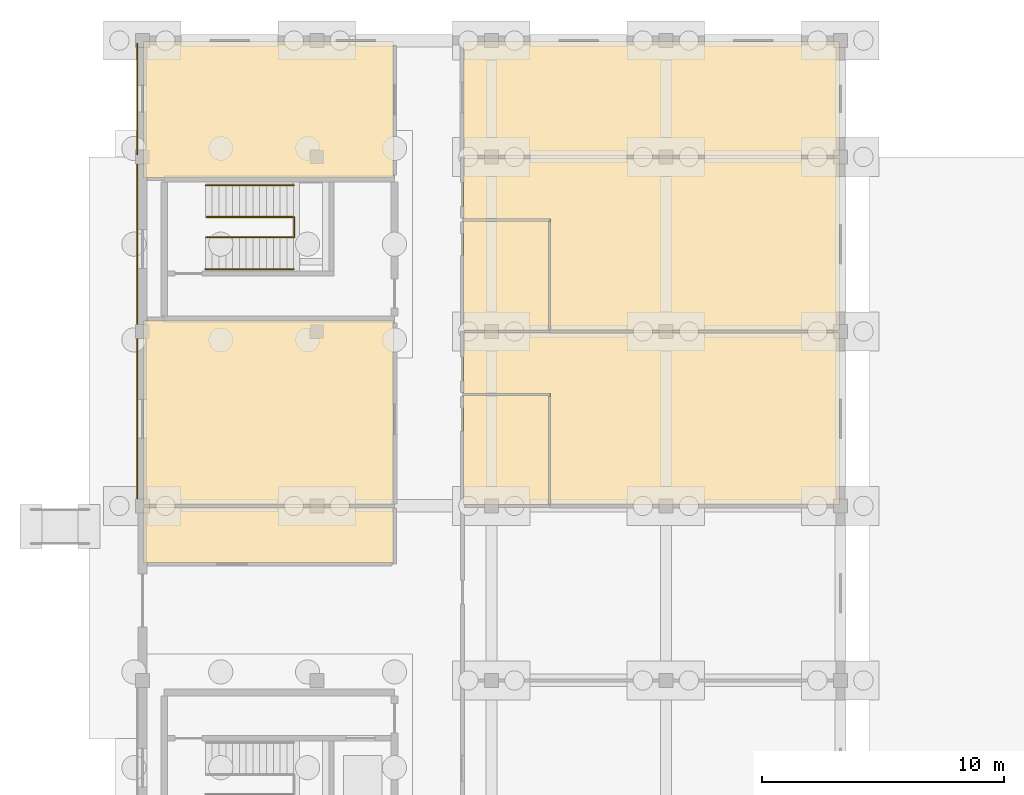
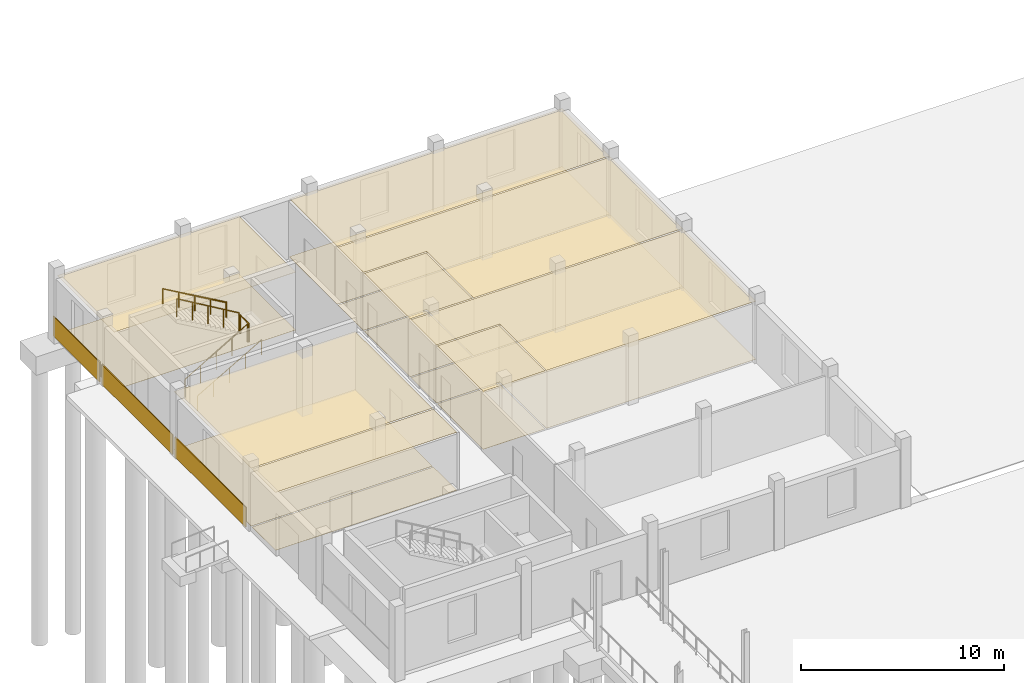
# One storey, part 94 of 98: 19 coverings, 5 railings.
"""IFC4 building model written with IfcOpenShell, lengths in metres."""

from ifc_helpers import new_model, si_unit, direction, frame, origin, origin_2d, place, context, subcontext, project, spatial, polyline, rectangle, circle, outline, extrude, material, layer, layer_set, type_object, element, save


model = new_model("IFC4")

# Units and contexts
model_context = context("Model", 3, precision=1e-05, world=origin(), true_north=direction((0.0, 1.0)))
body_context = subcontext(model_context, "Body", "Model", "MODEL_VIEW")
ifc_project = project(units=[si_unit("LENGTHUNIT", "METRE"), si_unit("AREAUNIT", "SQUARE_METRE"), si_unit("VOLUMEUNIT", "CUBIC_METRE"), si_unit("PLANEANGLEUNIT", "RADIAN"), si_unit("MASSUNIT", "GRAM", prefix="KILO")], contexts=[model_context])

# Site, building, storey
site_placement = place(None, origin())
site = spatial("IfcSite", under=ifc_project, at=site_placement, CompositionType="ELEMENT")
building_placement = place(site_placement, origin())
building = spatial("IfcBuilding", under=site, at=building_placement, Name="Zornivar Specialist Clinic", CompositionType="ELEMENT")
storey_placement = place(building_placement, origin())
storey = spatial("IfcBuildingStorey", under=building, at=storey_placement, Name="L00", CompositionType="ELEMENT", Elevation=0.0)

# Coverings
ifc_material_1 = material(Name="Washable Acoustic Mineral Clinical Ceiling")
ifc_layer_1 = layer(ifc_material_1, 0.01806640625)
ifc_layer_set_1 = layer_set([ifc_layer_1], Name="Washable Acoustic Mineral Clinical Ceiling")
covering_type_1 = type_object("IfcCoveringType", Name="COV-CEIL-CLIN-18", PredefinedType="CEILING", material=ifc_layer_set_1)
covering_1_placement = place(storey_placement, frame((0.0, 0.0, 3.48193359375)))
element("IfcCovering", 1, at=covering_1_placement, inside=storey, type_object=covering_type_1, Name="ceil:space:V5:L00:rm:00", PredefinedType="CEILING", context=body_context, shape_type="SweptSolid", body=[
    extrude(outline(polyline([(0.0400390625, 91.239990234375), (0.0400390625, 93.56005859375), (10.360107421875, 93.56005859375), (10.360107421875, 91.239990234375), (0.0400390625, 91.239990234375)])), origin(), (0.0, 0.0, 1.0), 0.01806640625),
])
covering_2_placement = place(storey_placement, frame((0.0, 0.0, 3.48193359375)))
element("IfcCovering", 2, at=covering_2_placement, inside=storey, type_object=covering_type_1, Name="ceil:space:V5:L00:rm:01", PredefinedType="CEILING", context=body_context, shape_type="SweptSolid", body=[
    extrude(outline(polyline([(0.0400390625, 93.639892578125), (0.0400390625, 101.260009765625), (10.360107421875, 101.260009765625), (10.360107421875, 93.639892578125), (0.0400390625, 93.639892578125)])), origin(), (0.0, 0.0, 1.0), 0.01806640625),
])
covering_3_placement = place(storey_placement, frame((0.0, 0.0, 3.48193359375)))
element("IfcCovering", 3, at=covering_3_placement, inside=storey, type_object=covering_type_1, Name="ceil:space:V5:L00:rm:02", PredefinedType="CEILING", context=body_context, shape_type="SweptSolid", body=[
    extrude(outline(polyline([(10.360107421875, 112.760009765625), (10.360107421875, 107.139892578125), (0.0400390625, 107.139892578125), (0.0400390625, 112.760009765625), (10.360107421875, 112.760009765625)])), origin(), (0.0, 0.0, 1.0), 0.01806640625),
])
covering_4_placement = place(storey_placement, frame((0.0, 0.0, 3.48193359375)))
element("IfcCovering", 4, at=covering_4_placement, inside=storey, type_object=covering_type_1, Name="ceil:space:V5:L00:rm:05", PredefinedType="CEILING", context=body_context, shape_type="SweptSolid", body=[
    extrude(outline(polyline([(13.239990234375, 98.159912109375), (16.760009765625, 98.159912109375), (16.760009765625, 93.639892578125), (13.239990234375, 93.639892578125), (13.239990234375, 98.159912109375)])), origin(), (0.0, 0.0, 1.0), 0.01806640625),
])
covering_5_placement = place(storey_placement, frame((0.0, 0.0, 3.48193359375)))
element("IfcCovering", 5, at=covering_5_placement, inside=storey, type_object=covering_type_1, Name="ceil:space:V5:L00:rm:05b", PredefinedType="CEILING", context=body_context, shape_type="SweptSolid", body=[
    extrude(outline(polyline([(16.840087890625, 98.239990234375), (13.239990234375, 98.239990234375), (13.239990234375, 100.760009765625), (28.760009765625, 100.760009765625), (28.760009765625, 93.639892578125), (16.840087890625, 93.639892578125), (16.840087890625, 98.239990234375)])), origin(), (0.0, 0.0, 1.0), 0.01806640625),
])
covering_6_placement = place(storey_placement, frame((0.0, 0.0, 3.48193359375)))
element("IfcCovering", 6, at=covering_6_placement, inside=storey, type_object=covering_type_1, Name="ceil:space:V5:L00:rm:07", PredefinedType="CEILING", context=body_context, shape_type="SweptSolid", body=[
    extrude(outline(polyline([(13.239990234375, 105.360107421875), (16.760009765625, 105.360107421875), (16.760009765625, 100.840087890625), (13.239990234375, 100.840087890625), (13.239990234375, 105.360107421875)])), origin(), (0.0, 0.0, 1.0), 0.01806640625),
])
covering_7_placement = place(storey_placement, frame((0.0, 0.0, 3.48193359375)))
element("IfcCovering", 7, at=covering_7_placement, inside=storey, type_object=covering_type_1, Name="ceil:space:V5:L00:rm:07b", PredefinedType="CEILING", context=body_context, shape_type="SweptSolid", body=[
    extrude(outline(polyline([(16.840087890625, 105.43994140625), (13.239990234375, 105.43994140625), (13.239990234375, 107.9599609375), (28.760009765625, 107.9599609375), (28.760009765625, 100.840087890625), (16.840087890625, 100.840087890625), (16.840087890625, 105.43994140625)])), origin(), (0.0, 0.0, 1.0), 0.01806640625),
])
covering_8_placement = place(storey_placement, frame((0.0, 0.0, 3.48193359375)))
element("IfcCovering", 8, at=covering_8_placement, inside=storey, type_object=covering_type_1, Name="ceil:space:V5:L00:rm:09", PredefinedType="CEILING", context=body_context, shape_type="SweptSolid", body=[
    extrude(outline(polyline([(13.239990234375, 108.0400390625), (13.239990234375, 112.760009765625), (28.760009765625, 112.760009765625), (28.760009765625, 108.0400390625), (13.239990234375, 108.0400390625)])), origin(), (0.0, 0.0, 1.0), 0.01806640625),
])
ifc_material_2 = material(Name="Coursed Vratsa Limestone Plinth Cladding", Category="masonry")
ifc_layer_2 = layer(ifc_material_2, 0.050048828125)
ifc_layer_set_2 = layer_set([ifc_layer_2], Name="Coursed Vratsa Limestone Plinth Cladding")
covering_type_2 = type_object("IfcCoveringType", Name="COV-CLAD-VRATSA-50", PredefinedType="CLADDING", material=ifc_layer_set_2)
covering_9_placement = place(storey_placement, frame((-0.215087890625, 110.39990234375, 0.0), z_axis=(0.0, 0.0, 1.0), x_axis=(0.0, -1.0, 0.0)))
element("IfcCovering", 9, at=covering_9_placement, inside=storey, type_object=covering_type_2, Name="clad:V5:L00:13", PredefinedType="CLADDING", context=body_context, shape_type="SweptSolid", body=[
    extrude(rectangle(XDim=4.60009765625, YDim=0.050048828125, at=origin_2d()), origin(), (0.0, 0.0, 1.0), 1.199951171875),
])
for number, where, z_axis, x_axis, name in (
    (10, (-0.215087890625, 104.39990234375, 0.0), (0.0, 0.0, 1.0), (0.0, -1.0, 0.0), "clad:V5:L00:14"),
    (11, (-0.215087890625, 97.199951171875, 0.0), (0.0, 0.0, 1.0), (0.0, -1.0, 0.0), "clad:V5:L00:15"),
):
    element("IfcCovering", number, at=place(storey_placement, frame(where, z_axis=z_axis, x_axis=x_axis)), inside=storey, type_object=covering_type_2, Name=name, PredefinedType="CLADDING", context=body_context, shape_type="SweptSolid", body=[
        extrude(rectangle(XDim=7.0, YDim=0.050048828125, at=origin_2d()), origin(), (0.0, 0.0, 1.0), 1.199951171875),
    ])
ifc_material_3 = material(Name="Homogeneous Anti-Static Clinical Vinyl Flooring")
ifc_layer_3 = layer(ifc_material_3, 0.011962890625)
ifc_layer_set_3 = layer_set([ifc_layer_3], Name="Homogeneous Anti-Static Clinical Vinyl Flooring")
covering_type_3 = type_object("IfcCoveringType", Name="COV-FLR-VINYL-12", PredefinedType="FLOORING", material=ifc_layer_set_3)
covering_10_placement = place(storey_placement, origin())
element("IfcCovering", 12, at=covering_10_placement, inside=storey, type_object=covering_type_3, Name="flr:space:V5:L00:rm:00", PredefinedType="FLOORING", context=body_context, shape_type="SweptSolid", body=[
    extrude(outline(polyline([(0.0400390625, 91.239990234375), (0.0400390625, 93.56005859375), (10.360107421875, 93.56005859375), (10.360107421875, 91.239990234375), (0.0400390625, 91.239990234375)])), origin(), (0.0, 0.0, 1.0), 0.011962890625),
])
covering_11_placement = place(storey_placement, origin())
element("IfcCovering", 13, at=covering_11_placement, inside=storey, type_object=covering_type_3, Name="flr:space:V5:L00:rm:01", PredefinedType="FLOORING", context=body_context, shape_type="SweptSolid", body=[
    extrude(outline(polyline([(0.0400390625, 93.639892578125), (0.0400390625, 101.260009765625), (10.360107421875, 101.260009765625), (10.360107421875, 93.639892578125), (0.0400390625, 93.639892578125)])), origin(), (0.0, 0.0, 1.0), 0.011962890625),
])
covering_12_placement = place(storey_placement, origin())
element("IfcCovering", 14, at=covering_12_placement, inside=storey, type_object=covering_type_3, Name="flr:space:V5:L00:rm:02", PredefinedType="FLOORING", context=body_context, shape_type="SweptSolid", body=[
    extrude(outline(polyline([(10.360107421875, 112.760009765625), (10.360107421875, 107.139892578125), (0.0400390625, 107.139892578125), (0.0400390625, 112.760009765625), (10.360107421875, 112.760009765625)])), origin(), (0.0, 0.0, 1.0), 0.011962890625),
])
covering_13_placement = place(storey_placement, origin())
element("IfcCovering", 15, at=covering_13_placement, inside=storey, type_object=covering_type_3, Name="flr:space:V5:L00:rm:05", PredefinedType="FLOORING", context=body_context, shape_type="SweptSolid", body=[
    extrude(outline(polyline([(13.239990234375, 98.159912109375), (16.760009765625, 98.159912109375), (16.760009765625, 93.639892578125), (13.239990234375, 93.639892578125), (13.239990234375, 98.159912109375)])), origin(), (0.0, 0.0, 1.0), 0.011962890625),
])
covering_14_placement = place(storey_placement, origin())
element("IfcCovering", 16, at=covering_14_placement, inside=storey, type_object=covering_type_3, Name="flr:space:V5:L00:rm:05b", PredefinedType="FLOORING", context=body_context, shape_type="SweptSolid", body=[
    extrude(outline(polyline([(16.840087890625, 98.239990234375), (13.239990234375, 98.239990234375), (13.239990234375, 100.760009765625), (28.760009765625, 100.760009765625), (28.760009765625, 93.639892578125), (16.840087890625, 93.639892578125), (16.840087890625, 98.239990234375)])), origin(), (0.0, 0.0, 1.0), 0.011962890625),
])
covering_15_placement = place(storey_placement, origin())
element("IfcCovering", 17, at=covering_15_placement, inside=storey, type_object=covering_type_3, Name="flr:space:V5:L00:rm:07", PredefinedType="FLOORING", context=body_context, shape_type="SweptSolid", body=[
    extrude(outline(polyline([(13.239990234375, 105.360107421875), (16.760009765625, 105.360107421875), (16.760009765625, 100.840087890625), (13.239990234375, 100.840087890625), (13.239990234375, 105.360107421875)])), origin(), (0.0, 0.0, 1.0), 0.011962890625),
])
covering_16_placement = place(storey_placement, origin())
element("IfcCovering", 18, at=covering_16_placement, inside=storey, type_object=covering_type_3, Name="flr:space:V5:L00:rm:07b", PredefinedType="FLOORING", context=body_context, shape_type="SweptSolid", body=[
    extrude(outline(polyline([(16.840087890625, 105.43994140625), (13.239990234375, 105.43994140625), (13.239990234375, 107.9599609375), (28.760009765625, 107.9599609375), (28.760009765625, 100.840087890625), (16.840087890625, 100.840087890625), (16.840087890625, 105.43994140625)])), origin(), (0.0, 0.0, 1.0), 0.011962890625),
])
covering_17_placement = place(storey_placement, origin())
element("IfcCovering", 19, at=covering_17_placement, inside=storey, type_object=covering_type_3, Name="flr:space:V5:L00:rm:09", PredefinedType="FLOORING", context=body_context, shape_type="SweptSolid", body=[
    extrude(outline(polyline([(13.239990234375, 108.0400390625), (13.239990234375, 112.760009765625), (28.760009765625, 112.760009765625), (28.760009765625, 108.0400390625), (13.239990234375, 108.0400390625)])), origin(), (0.0, 0.0, 1.0), 0.011962890625),
])

# Railings
ifc_material_4 = material(Name="Brushed Stainless Steel Stair Guardrail", Category="steel")
railing_type_1 = type_object("IfcRailingType", Name="GRD-INT-STAIR-1100", PredefinedType="GUARDRAIL", material=ifc_material_4)
railing_1_placement = place(storey_placement, frame((2.639892578125, 104.679931640625, 0.160888671875)))
element("IfcRailing", 20, at=railing_1_placement, inside=storey, type_object=railing_type_1, Name="stair:C8:L00:grd1", PredefinedType="GUARDRAIL", context=body_context, shape_type="SweptSolid", body=[
    extrude(circle(Radius=0.02392578125, at=origin_2d()), frame((0.0, 0.0, 1.076171875), z_axis=(0.862467420366, 0.0, 0.50611258511), x_axis=(0.0, 1.0, 0.0)), (0.0, 0.0, 1.0), 4.127685546875),
    extrude(circle(Radius=0.02099609375, at=origin_2d()), origin(), (0.0, 0.0, 1.0), 1.052001953125),
    extrude(circle(Radius=0.02099609375, at=origin_2d()), frame((0.89013671875, 0.0, 0.522216796875)), (0.0, 0.0, 1.0), 1.052001953125),
    extrude(circle(Radius=0.02099609375, at=origin_2d()), frame((1.780029296875, 0.0, 1.04443359375)), (0.0, 0.0, 1.0), 1.052001953125),
    extrude(circle(Radius=0.02099609375, at=origin_2d()), frame((2.669921875, 0.0, 1.56689453125)), (0.0, 0.0, 1.0), 1.052001953125),
    extrude(circle(Radius=0.02099609375, at=origin_2d()), frame((3.56005859375, 0.0, 2.089111328125)), (0.0, 0.0, 1.0), 1.052001953125),
])
railing_2_placement = place(storey_placement, frame((6.199951171875, 105.52001953125, 2.410888671875)))
element("IfcRailing", 21, at=railing_2_placement, inside=storey, type_object=railing_type_1, Name="stair:C8:L00:grd2", PredefinedType="GUARDRAIL", context=body_context, shape_type="SweptSolid", body=[
    extrude(circle(Radius=0.02392578125, at=origin_2d()), frame((0.0, 0.0, 1.076171875), z_axis=(-0.861217264902, 0.0, 0.50823697488), x_axis=(0.0, -1.0, 0.0)), (0.0, 0.0, 1.0), 4.110595703125),
    extrude(circle(Radius=0.02099609375, at=origin_2d()), origin(), (0.0, 0.0, 1.0), 1.052001953125),
    extrude(circle(Radius=0.02099609375, at=origin_2d()), frame((-0.885009765625, 0.0, 0.522216796875)), (0.0, 0.0, 1.0), 1.052001953125),
    extrude(circle(Radius=0.02099609375, at=origin_2d()), frame((-1.77001953125, 0.0, 1.04443359375)), (0.0, 0.0, 1.0), 1.052001953125),
    extrude(circle(Radius=0.02099609375, at=origin_2d()), frame((-2.655029296875, 0.0, 1.56689453125)), (0.0, 0.0, 1.0), 1.052001953125),
    extrude(circle(Radius=0.02099609375, at=origin_2d()), frame((-3.5400390625, 0.0, 2.089111328125)), (0.0, 0.0, 1.0), 1.052001953125),
])
railing_3_placement = place(storey_placement, frame((6.27001953125, 104.679931640625, 2.25)))
element("IfcRailing", 22, at=railing_3_placement, inside=storey, type_object=railing_type_1, Name="stair:C8:L00:grdl", PredefinedType="GUARDRAIL", context=body_context, shape_type="SweptSolid", body=[
    extrude(circle(Radius=0.02392578125, at=origin_2d()), frame((0.0, 0.0, 1.076171875), z_axis=(0.0, 1.0, 0.0), x_axis=(-1.0, 0.0, 0.0)), (0.0, 0.0, 1.0), 0.840087890625),
    extrude(circle(Radius=0.02099609375, at=origin_2d()), origin(), (0.0, 0.0, 1.0), 1.052001953125),
    extrude(circle(Radius=0.02099609375, at=origin_2d()), frame((0.0, 0.840087890625, 0.0)), (0.0, 0.0, 1.0), 1.052001953125),
])
ifc_material_5 = material(Name="Brushed Stainless Steel Continuous Handrail", Category="steel")
railing_type_2 = type_object("IfcRailingType", Name="HRL-STAIR-0920", PredefinedType="HANDRAIL", material=ifc_material_5)
railing_4_placement = place(storey_placement, frame((2.60009765625, 103.3701171875, 0.160888671875)))
element("IfcRailing", 23, at=railing_4_placement, inside=storey, type_object=railing_type_2, Name="stair:C8:L00:hr1", PredefinedType="HANDRAIL", context=body_context, shape_type="SweptSolid", body=[
    extrude(circle(Radius=0.02392578125, at=origin_2d()), frame((0.0, 0.0, 0.89599609375), z_axis=(0.867300072446, 0.0, 0.497785681127), x_axis=(0.0, 1.0, 0.0)), (0.0, 0.0, 1.0), 4.19677734375),
    extrude(circle(Radius=0.02099609375, at=origin_2d()), origin(), (0.0, 0.0, 1.0), 0.871826171875),
    extrude(circle(Radius=0.02099609375, at=origin_2d()), frame((0.909912109375, 0.0, 0.522216796875)), (0.0, 0.0, 1.0), 0.871826171875),
    extrude(circle(Radius=0.02099609375, at=origin_2d()), frame((1.81982421875, 0.0, 1.04443359375)), (0.0, 0.0, 1.0), 0.871826171875),
    extrude(circle(Radius=0.02099609375, at=origin_2d()), frame((2.72998046875, 0.0, 1.56689453125)), (0.0, 0.0, 1.0), 0.871826171875),
    extrude(circle(Radius=0.02099609375, at=origin_2d()), frame((3.639892578125, 0.0, 2.089111328125)), (0.0, 0.0, 1.0), 0.871826171875),
])
railing_5_placement = place(storey_placement, frame((6.239990234375, 106.830078125, 2.410888671875)))
element("IfcRailing", 24, at=railing_5_placement, inside=storey, type_object=railing_type_2, Name="stair:C8:L00:hr2", PredefinedType="HANDRAIL", context=body_context, shape_type="SweptSolid", body=[
    extrude(circle(Radius=0.02392578125, at=origin_2d()), frame((0.0, 0.0, 0.89599609375), z_axis=(-0.866110694346, 0.0, 0.499852243307), x_axis=(0.0, -1.0, 0.0)), (0.0, 0.0, 1.0), 4.179443359375),
    extrude(circle(Radius=0.02099609375, at=origin_2d()), origin(), (0.0, 0.0, 1.0), 0.871826171875),
    extrude(circle(Radius=0.02099609375, at=origin_2d()), frame((-0.905029296875, 0.0, 0.522216796875)), (0.0, 0.0, 1.0), 0.871826171875),
    extrude(circle(Radius=0.02099609375, at=origin_2d()), frame((-1.81005859375, 0.0, 1.04443359375)), (0.0, 0.0, 1.0), 0.871826171875),
    extrude(circle(Radius=0.02099609375, at=origin_2d()), frame((-2.71484375, 0.0, 1.56689453125)), (0.0, 0.0, 1.0), 0.871826171875),
    extrude(circle(Radius=0.02099609375, at=origin_2d()), frame((-3.619873046875, 0.0, 2.089111328125)), (0.0, 0.0, 1.0), 0.871826171875),
])

save(model, "model.ifc")
